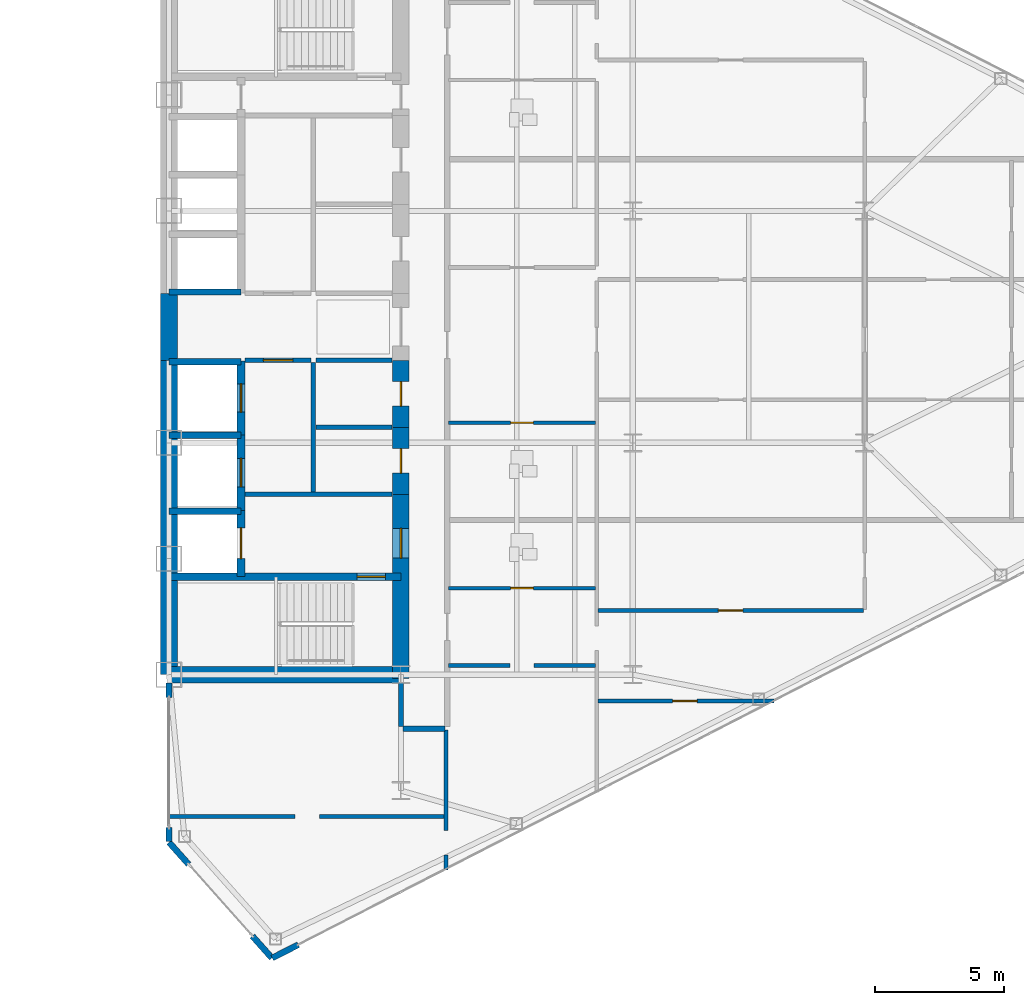
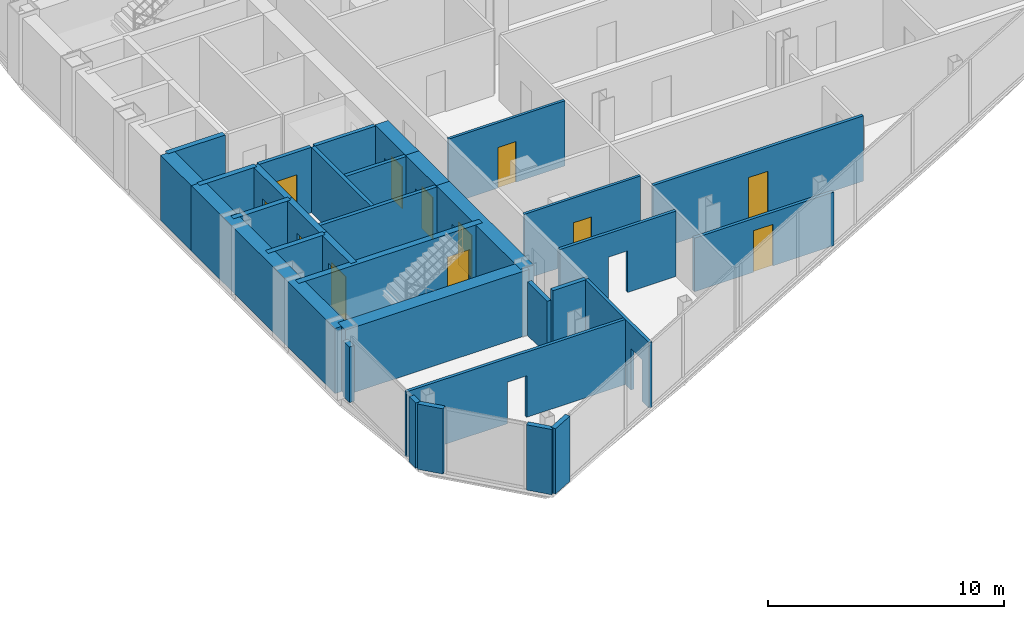
# One storey, part 19 of 24: 33 walls, 12 doors, 15 openings.
"""IFC4 building model written with IfcOpenShell, lengths in metres."""

from ifc_helpers import new_model, si_unit, direction, frame, frame_2d, origin, place, context, subcontext, project, spatial, rectangle, extrude, source, transform, mapped, material, layer, layer_set, type_object, type_shapes, element, fill, save


model = new_model("IFC4")

# Units and contexts
model_context = context("Model", 3, precision=1e-05, world=origin(), true_north=direction((0.0, 1.0)))
body_context = subcontext(model_context, "Body", "Model", "MODEL_VIEW")
ifc_project = project(units=[si_unit("LENGTHUNIT", "METRE"), si_unit("AREAUNIT", "SQUARE_METRE"), si_unit("VOLUMEUNIT", "CUBIC_METRE"), si_unit("PLANEANGLEUNIT", "RADIAN"), si_unit("MASSUNIT", "GRAM", prefix="KILO")], contexts=[model_context])

# Site, building, storey
site_placement = place(None, origin())
site = spatial("IfcSite", under=ifc_project, at=site_placement, CompositionType="ELEMENT")
building_placement = place(site_placement, origin())
building = spatial("IfcBuilding", under=site, at=building_placement, Name="Seokmaru Belvedere", CompositionType="ELEMENT")
storey_placement = place(building_placement, frame((0.0, 0.0, 114.0)))
storey = spatial("IfcBuildingStorey", under=building, at=storey_placement, Name="L30", CompositionType="ELEMENT", Elevation=114.0)

# Wall, opening
ifc_material_1 = material(Name="Fire-Rated Gypsum Shaftwall")
ifc_layer_1 = layer(ifc_material_1, 0.14990234375)
ifc_layer_set_1 = layer_set([ifc_layer_1], Name="Fire-Rated Gypsum Shaftwall")
wall_type_1 = type_object("IfcWallType", Name="Apartment Fire-Acoustic Room Partition 150", PredefinedType="PARTITIONING", material=ifc_layer_set_1)
wall_1_placement = place(storey_placement, frame((27.465087890625, -19.0, 0.0), z_axis=(0.0, 0.0, 1.0), x_axis=(1.0, 0.0, 0.0)))
wall_1 = element("IfcWall", 1, at=wall_1_placement, inside=storey, type_object=wall_type_1, Name="L30 Interior Partition 002", PredefinedType="PARTITIONING", context=body_context, shape_type="SweptSolid", body=[
    extrude(rectangle(XDim=10.73486328125, YDim=0.14990234375, at=frame_2d((5.367431640625, 0.0))), origin(), (0.0, 0.0, 1.0), 3.3798828125),
])
opening_1_placement = place(wall_1_placement, frame((4.93505859375, 0.0, 0.0)))
element("IfcOpeningElement", 2, at=opening_1_placement, cuts=wall_1, Name="L30 Cased Opening 043", PredefinedType="OPENING", context=body_context, shape_type="SweptSolid", body=[
    extrude(rectangle(XDim=0.949951171875, YDim=2.14990234375, at=frame_2d((0.47509765625, 1.074951171875))), frame((0.0, 0.0849609375, 0.0), z_axis=(0.0, -1.0, 0.0), x_axis=(1.0, 0.0, 0.0)), (0.0, 0.0, 1.0), 0.169921875),
])

# Wall, opening, door
wall_2_placement = place(storey_placement, frame((44.14990234375, -14.52001953125, 0.0), z_axis=(0.0, 0.0, 1.0), x_axis=(1.0, 0.0, 0.0)))
wall_2 = element("IfcWall", 3, at=wall_2_placement, inside=storey, type_object=wall_type_1, Name="L30 Interior Partition 006", PredefinedType="PARTITIONING", context=body_context, shape_type="SweptSolid", body=[
    extrude(rectangle(XDim=6.828125, YDim=0.14990234375, at=frame_2d((3.4140625, 0.0))), origin(), (0.0, 0.0, 1.0), 2.780029296875),
])
opening_2_placement = place(wall_2_placement, frame((2.896240234375, 0.0, 0.0)))
opening_2 = element("IfcOpeningElement", 4, at=opening_2_placement, cuts=wall_2, Name="Opening D05", PredefinedType="OPENING", context=body_context, shape_type="SweptSolid", body=[
    extrude(rectangle(XDim=0.949951171875, YDim=2.14990234375, at=frame_2d((0.47509765625, 1.074951171875))), frame((0.0, 0.0849609375, 0.0), z_axis=(0.0, -1.0, 0.0), x_axis=(1.0, 0.0, 0.0)), (0.0, 0.0, 1.0), 0.169921875),
])
ifc_material_2 = material(Name="Engineered White Oak Timber", Category="wood")
door_type_1 = type_object("IfcDoorType", Name="Apartment Interior Fire-Rated Oak Door 950x2150", OperationType="NOTDEFINED", PredefinedType="DOOR", material=ifc_material_2)
shared_shape_1 = source(origin(), body_context, "Body", "SweptSolid", [
    extrude(rectangle(XDim=0.949951171875, YDim=2.14990234375, at=frame_2d((0.47509765625, 1.074951171875))), frame((0.0, 0.02490234375, 0.0), z_axis=(0.0, -1.0, 0.0), x_axis=(1.0, 0.0, 0.0)), (0.0, 0.0, 1.0), 0.050048828125),
])
type_shapes(door_type_1, [shared_shape_1])
door_1_placement = place(opening_2_placement, origin())
door_1 = element("IfcDoor", 5, at=door_1_placement, inside=storey, type_object=door_type_1, Name="L30 Interior Door 040", OperationType="SINGLE_SWING_RIGHT", OverallHeight=2.14990234375, OverallWidth=0.949951171875, PredefinedType="DOOR", context=body_context, shape_type="MappedRepresentation", body=[
    mapped(shared_shape_1, transform((0.0, 0.0, 0.0), scale=1.0)),
])
fill(opening_2, door_1)

# Wall, opening
wall_3_placement = place(storey_placement, frame((38.35009765625, -13.139892578125, 0.0), z_axis=(0.0, 0.0, 1.0), x_axis=(1.0, 0.0, 0.0)))
wall_3 = element("IfcWall", 6, at=wall_3_placement, inside=storey, type_object=wall_type_1, Name="L30 Interior Partition 008", PredefinedType="PARTITIONING", context=body_context, shape_type="SweptSolid", body=[
    extrude(rectangle(XDim=5.699951171875, YDim=0.14990234375, at=frame_2d((2.85009765625, 0.0))), origin(), (0.0, 0.0, 1.0), 3.3798828125),
])
opening_3_placement = place(wall_3_placement, frame((2.375, 0.0, 0.0)))
element("IfcOpeningElement", 7, at=opening_3_placement, cuts=wall_3, Name="L30 Cased Opening 038", PredefinedType="OPENING", context=body_context, shape_type="SweptSolid", body=[
    extrude(rectangle(XDim=0.949951171875, YDim=2.14990234375, at=frame_2d((0.47509765625, 1.074951171875))), frame((0.0, 0.0849609375, 0.0), z_axis=(0.0, -1.0, 0.0), x_axis=(1.0, 0.0, 0.0)), (0.0, 0.0, 1.0), 0.169921875),
])

# Wall, opening, door
wall_4_placement = place(storey_placement, frame((44.14990234375, -11.010009765625, 0.0), z_axis=(0.0, 0.0, 1.0), x_axis=(1.0, 0.0, 0.0)))
wall_4 = element("IfcWall", 8, at=wall_4_placement, inside=storey, type_object=wall_type_1, Name="L30 Interior Partition 011", PredefinedType="PARTITIONING", context=body_context, shape_type="SweptSolid", body=[
    extrude(rectangle(XDim=10.300048828125, YDim=0.14990234375, at=frame_2d((5.14990234375, 0.0))), origin(), (0.0, 0.0, 1.0), 3.3798828125),
])
opening_4_placement = place(wall_4_placement, frame((4.675048828125, 0.0, 0.0)))
opening_4 = element("IfcOpeningElement", 9, at=opening_4_placement, cuts=wall_4, Name="Opening D05", PredefinedType="OPENING", context=body_context, shape_type="SweptSolid", body=[
    extrude(rectangle(XDim=0.949951171875, YDim=2.14990234375, at=frame_2d((0.47509765625, 1.074951171875))), frame((0.0, 0.0849609375, 0.0), z_axis=(0.0, -1.0, 0.0), x_axis=(1.0, 0.0, 0.0)), (0.0, 0.0, 1.0), 0.169921875),
])
door_2_placement = place(opening_4_placement, origin())
door_2 = element("IfcDoor", 10, at=door_2_placement, inside=storey, type_object=door_type_1, Name="L30 Interior Door 041", OperationType="SINGLE_SWING_LEFT", OverallHeight=2.14990234375, OverallWidth=0.949951171875, PredefinedType="DOOR", context=body_context, shape_type="MappedRepresentation", body=[
    mapped(shared_shape_1, transform((0.0, 0.0, 0.0), scale=1.0)),
])
fill(opening_4, door_2)

# Wall, opening
wall_5_placement = place(storey_placement, frame((38.25, -21.071044921875, 0.0), z_axis=(0.0, 0.0, 1.0), x_axis=(0.0, 1.0, 0.0)))
wall_5 = element("IfcWall", 11, at=wall_5_placement, inside=storey, type_object=wall_type_1, Name="L30 Interior Partition 049", PredefinedType="PARTITIONING", context=body_context, shape_type="SweptSolid", body=[
    extrude(rectangle(XDim=5.421142578125, YDim=0.14990234375, at=frame_2d((2.71044921875, 0.0))), origin(), (0.0, 0.0, 1.0), 3.3798828125),
])
opening_5_placement = place(wall_5_placement, frame((0.577880859375, 0.0, 0.0)))
element("IfcOpeningElement", 12, at=opening_5_placement, cuts=wall_5, Name="L30 Cased Opening 042", PredefinedType="OPENING", context=body_context, shape_type="SweptSolid", body=[
    extrude(rectangle(XDim=0.949951171875, YDim=2.14990234375, at=frame_2d((0.47509765625, 1.074951171875))), frame((0.0, 0.0849609375, 0.0), z_axis=(0.0, -1.0, 0.0), x_axis=(1.0, 0.0, 0.0)), (0.0, 0.0, 1.0), 0.169921875),
])

# Walls
ifc_layer_2 = layer(ifc_material_1, 0.179931640625)
ifc_layer_set_2 = layer_set([ifc_layer_2], Name="Fire-Rated Gypsum Shaftwall")
wall_type_2 = type_object("IfcWallType", Name="Core Service Fire Partition 180", PredefinedType="PARTITIONING", material=ifc_layer_set_2)
wall_6_placement = place(storey_placement, frame((30.449951171875, -6.5, 0.0), z_axis=(0.0, 0.0, 1.0), x_axis=(1.0, 0.0, 0.0)))
element("IfcWall", 13, at=wall_6_placement, inside=storey, type_object=wall_type_2, Name="L30 East Firefighting Lobby Partition", PredefinedType="PARTITIONING", context=body_context, shape_type="SweptSolid", body=[
    extrude(rectangle(XDim=5.699951171875, YDim=0.179931640625, at=frame_2d((2.85009765625, 0.0))), origin(), (0.0, 0.0, 1.0), 3.3798828125),
])
wall_7_placement = place(storey_placement, frame((33.10009765625, -6.419921875, 0.0), z_axis=(0.0, 0.0, 1.0), x_axis=(0.0, 1.0, 0.0)))
element("IfcWall", 14, at=wall_7_placement, inside=storey, type_object=wall_type_2, Name="L30 East South Core Service Back Wall", PredefinedType="PARTITIONING", context=body_context, shape_type="SweptSolid", body=[
    extrude(rectangle(XDim=5.0400390625, YDim=0.179931640625, at=frame_2d((2.52001953125, 0.0))), origin(), (0.0, 0.0, 1.0), 3.3798828125),
])

# Wall, opening, door
wall_8_placement = place(storey_placement, frame((30.449951171875, -1.300048828125, 0.0), z_axis=(0.0, 0.0, 1.0), x_axis=(1.0, 0.0, 0.0)))
wall_8 = element("IfcWall", 15, at=wall_8_placement, inside=storey, type_object=wall_type_2, Name="L30 East South Lift Lobby Foyer Wall", PredefinedType="PARTITIONING", context=body_context, shape_type="SweptSolid", body=[
    extrude(rectangle(XDim=2.570068359375, YDim=0.179931640625, at=frame_2d((1.28515625, 0.0))), origin(), (0.0, 0.0, 1.0), 3.3798828125),
])
opening_6_placement = place(wall_8_placement, frame((0.7099609375, 0.0, 0.0)))
opening_6 = element("IfcOpeningElement", 16, at=opening_6_placement, cuts=wall_8, Name="Opening D02", PredefinedType="OPENING", context=body_context, shape_type="SweptSolid", body=[
    extrude(rectangle(XDim=1.14990234375, YDim=2.199951171875, at=frame_2d((0.574951171875, 1.10009765625))), frame((0.0, 0.10009765625, 0.0), z_axis=(0.0, -1.0, 0.0), x_axis=(1.0, 0.0, 0.0)), (0.0, 0.0, 1.0), 0.199951171875),
])
ifc_material_3 = material(Name="Fire-Rated Steel Leaf", Category="steel")
door_type_2 = type_object("IfcDoorType", Name="Lobby and Vestibule Fire Door 1150x2200", OperationType="NOTDEFINED", PredefinedType="DOOR", material=ifc_material_3)
shared_shape_2 = source(origin(), body_context, "Body", "SweptSolid", [
    extrude(rectangle(XDim=1.14990234375, YDim=2.199951171875, at=frame_2d((0.574951171875, 1.10009765625))), frame((0.0, 0.02490234375, 0.0), z_axis=(0.0, -1.0, 0.0), x_axis=(1.0, 0.0, 0.0)), (0.0, 0.0, 1.0), 0.050048828125),
])
type_shapes(door_type_2, [shared_shape_2])
door_3_placement = place(opening_6_placement, origin())
door_3 = element("IfcDoor", 17, at=door_3_placement, inside=storey, type_object=door_type_2, Name="L30 East South Core Foyer Door", OperationType="SINGLE_SWING_RIGHT", OverallHeight=2.199951171875, OverallWidth=1.14990234375, PredefinedType="DOOR", context=body_context, shape_type="MappedRepresentation", body=[
    mapped(shared_shape_2, transform((0.0, 0.0, 0.0), scale=1.0)),
])
fill(opening_6, door_3)

# Walls
for number, where, z_axis, x_axis, name in (
    (18, (33.199951171875, -1.300048828125, 0.0), (0.0, 0.0, 1.0), (1.0, 0.0, 0.0), "L30 East Foyer Side Wall S"),
    (19, (33.199951171875, -3.89990234375, 0.0), (0.0, 0.0, 1.0), (1.0, 0.0, 0.0), "L30 East Core Service Partition 1"),
):
    element("IfcWall", number, at=place(storey_placement, frame(where, z_axis=z_axis, x_axis=x_axis)), inside=storey, type_object=wall_type_2, Name=name, PredefinedType="PARTITIONING", context=body_context, shape_type="SweptSolid", body=[
        extrude(rectangle(XDim=2.949951171875, YDim=0.179931640625, at=frame_2d((1.47509765625, 0.0))), origin(), (0.0, 0.0, 1.0), 3.3798828125),
    ])
ifc_material_4 = material(Name="Concrete C50 (50 MPa)", Category="concrete")
ifc_layer_3 = layer(ifc_material_4, 0.25)
ifc_layer_set_3 = layer_set([ifc_layer_3], Name="Concrete C50 (50 MPa)")
wall_type_3 = type_object("IfcWallType", Name="Hoistway Transverse Concrete Divider Wall 250", PredefinedType="SHEAR", material=ifc_layer_set_3)
for number, where, z_axis, x_axis, name in (
    (20, (27.5, -7.14990234375, 0.0), (0.0, 0.0, 1.0), (1.0, 0.0, 0.0), "L30 East Hoistway Divider Core Wall 1"),
    (21, (27.5, -4.199951171875, 0.0), (0.0, 0.0, 1.0), (1.0, 0.0, 0.0), "L30 East Hoistway Divider Core Wall 2"),
    (22, (27.5, -1.35009765625, 0.0), (0.0, 0.0, 1.0), (1.0, 0.0, 0.0), "L30 East Hoistway Divider Core Wall 3"),
    (23, (27.5, 1.35009765625, 0.0), (0.0, 0.0, 1.0), (1.0, 0.0, 0.0), "L30 East Hoistway Divider Core Wall 4"),
):
    element("IfcWall", number, at=place(storey_placement, frame(where, z_axis=z_axis, x_axis=x_axis)), inside=storey, type_object=wall_type_3, Name=name, PredefinedType="SHEAR", context=body_context, shape_type="SweptSolid", body=[
        extrude(rectangle(XDim=2.800048828125, YDim=0.25, at=frame_2d((1.39990234375, 0.0))), origin(), (0.0, 0.0, 1.0), 3.3798828125),
    ])
ifc_layer_4 = layer(ifc_material_1, 0.199951171875)
ifc_layer_set_4 = layer_set([ifc_layer_4], Name="Fire-Rated Gypsum Shaftwall")
wall_type_4 = type_object("IfcWallType", Name="Inter-Tenancy Fire Compartment Partition 200", PredefinedType="PARTITIONING", material=ifc_layer_set_4)
wall_9_placement = place(storey_placement, frame((36.5849609375, -15.60009765625, 0.0), z_axis=(0.0, 0.0, 1.0), x_axis=(1.0, 0.0, 0.0)))
element("IfcWall", 24, at=wall_9_placement, inside=storey, type_object=wall_type_4, Name="L30 Interior Partition 005", PredefinedType="PARTITIONING", context=body_context, shape_type="SweptSolid", body=[
    extrude(rectangle(XDim=1.630126953125, YDim=0.199951171875, at=frame_2d((0.81494140625, 0.0))), origin(), (0.0, 0.0, 1.0), 3.3798828125),
])
wall_10_placement = place(storey_placement, frame((36.5, -15.514892578125, 0.0), z_axis=(0.0, 0.0, 1.0), x_axis=(0.0, 1.0, 0.0)))
element("IfcWall", 25, at=wall_10_placement, inside=storey, type_object=wall_type_4, Name="L30 Interior Partition 047", PredefinedType="PARTITIONING", context=body_context, shape_type="SweptSolid", body=[
    extrude(rectangle(XDim=1.684814453125, YDim=0.199951171875, at=frame_2d((0.84228515625, 0.0))), origin(), (0.0, 0.0, 1.0), 2.780029296875),
])

# Wall, opening, door
ifc_layer_5 = layer(ifc_material_4, 0.300048828125)
ifc_layer_set_5 = layer_set([ifc_layer_5], Name="Concrete C50 (50 MPa)")
wall_type_5 = type_object("IfcWallType", Name="Internal Core Stair and Hoistway Wall 300", PredefinedType="SHEAR", material=ifc_layer_set_5)
wall_11_placement = place(storey_placement, frame((27.5, -9.699951171875, 0.0), z_axis=(0.0, 0.0, 1.0), x_axis=(1.0, 0.0, 0.0)))
wall_11 = element("IfcWall", 26, at=wall_11_placement, inside=storey, type_object=wall_type_5, Name="L30 East Stair ST-1 Enclosure Wall", PredefinedType="SHEAR", context=body_context, shape_type="SweptSolid", body=[
    extrude(rectangle(XDim=9.0, YDim=0.300048828125, at=frame_2d((4.5, 0.0))), origin(), (0.0, 0.0, 1.0), 3.3798828125),
])
opening_7_placement = place(wall_11_placement, frame((7.300048828125, 0.0, 0.0)))
opening_7 = element("IfcOpeningElement", 27, at=opening_7_placement, cuts=wall_11, Name="Opening D01", PredefinedType="OPENING", context=body_context, shape_type="SweptSolid", body=[
    extrude(rectangle(XDim=1.10009765625, YDim=2.199951171875, at=frame_2d((0.550048828125, 1.10009765625))), frame((0.0, 0.16015625, 0.0), z_axis=(0.0, -1.0, 0.0), x_axis=(1.0, 0.0, 0.0)), (0.0, 0.0, 1.0), 0.320068359375),
])
door_type_3 = type_object("IfcDoorType", Name="Special Escape Stair Smokeproof Fire Door 1100x2200", OperationType="NOTDEFINED", PredefinedType="DOOR", material=ifc_material_3)
shared_shape_3 = source(origin(), body_context, "Body", "SweptSolid", [
    extrude(rectangle(XDim=1.10009765625, YDim=2.199951171875, at=frame_2d((0.550048828125, 1.10009765625))), frame((0.0, 0.02490234375, 0.0), z_axis=(0.0, -1.0, 0.0), x_axis=(1.0, 0.0, 0.0)), (0.0, 0.0, 1.0), 0.050048828125),
])
type_shapes(door_type_3, [shared_shape_3])
door_4_placement = place(opening_7_placement, frame((1.10009765625, 0.0, 0.0), z_axis=(0.0, 0.0, 1.0), x_axis=(-1.0, 0.0, 0.0)))
door_4 = element("IfcDoor", 28, at=door_4_placement, inside=storey, type_object=door_type_3, Name="L30 East Special Escape Stair ST-1 Door", OperationType="SINGLE_SWING_RIGHT", OverallHeight=2.199951171875, OverallWidth=1.10009765625, PredefinedType="DOOR", context=body_context, shape_type="MappedRepresentation", body=[
    mapped(shared_shape_3, transform((0.0, 0.0, 0.0), scale=1.0)),
])
fill(opening_7, door_4)

wall_12_placement = place(storey_placement, frame((30.300048828125, -9.679931640625, 0.0), z_axis=(0.0, 0.0, 1.0), x_axis=(0.0, 1.0, 0.0)))
wall_12 = element("IfcWall", 29, at=wall_12_placement, inside=storey, type_object=wall_type_5, Name="L30 East Firefighting Lift Shaft Front Wall", PredefinedType="SHEAR", context=body_context, shape_type="SweptSolid", body=[
    extrude(rectangle(XDim=2.559814453125, YDim=0.300048828125, at=frame_2d((1.27978515625, 0.0))), origin(), (0.0, 0.0, 1.0), 3.3798828125),
])
opening_8_placement = place(wall_12_placement, frame((0.679931640625, 0.0, 0.0)))
opening_8 = element("IfcOpeningElement", 30, at=opening_8_placement, cuts=wall_12, Name="Opening LD2", PredefinedType="OPENING", context=body_context, shape_type="SweptSolid", body=[
    extrude(rectangle(XDim=1.199951171875, YDim=2.25, at=frame_2d((0.60009765625, 1.125))), frame((0.0, 0.16015625, 0.0), z_axis=(0.0, -1.0, 0.0), x_axis=(1.0, 0.0, 0.0)), (0.0, 0.0, 1.0), 0.320068359375),
])
ifc_material_5 = material(Name="Stainless Steel 316", Category="steel")
door_type_4 = type_object("IfcDoorType", Name="Firefighting Lift Sliding Landing Door 1200x2250", OperationType="DOUBLE_DOOR_SLIDING", PredefinedType="DOOR", material=ifc_material_5)
shared_shape_4 = source(origin(), body_context, "Body", "SweptSolid", [
    extrude(rectangle(XDim=1.199951171875, YDim=2.25, at=frame_2d((0.60009765625, 1.125))), frame((0.0, 0.02490234375, 0.0), z_axis=(0.0, -1.0, 0.0), x_axis=(1.0, 0.0, 0.0)), (0.0, 0.0, 1.0), 0.050048828125),
])
type_shapes(door_type_4, [shared_shape_4])
door_5_placement = place(opening_8_placement, origin())
door_5 = element("IfcDoor", 31, at=door_5_placement, inside=storey, type_object=door_type_4, Name="L30 East Firefighting Lift Landing Door", OperationType="DOUBLE_DOOR_SLIDING", OverallHeight=2.25, OverallWidth=1.199951171875, PredefinedType="DOOR", context=body_context, shape_type="MappedRepresentation", body=[
    mapped(shared_shape_4, transform((0.0, 0.0, 0.0), scale=1.0)),
])
fill(opening_8, door_5)

wall_13_placement = place(storey_placement, frame((30.300048828125, -7.1201171875, 0.0), z_axis=(0.0, 0.0, 1.0), x_axis=(0.0, 1.0, 0.0)))
wall_13 = element("IfcWall", 32, at=wall_13_placement, inside=storey, type_object=wall_type_5, Name="L30 East Low-Rise Lift PL-1 Front Wall", PredefinedType="SHEAR", context=body_context, shape_type="SweptSolid", body=[
    extrude(rectangle(XDim=2.920166015625, YDim=0.300048828125, at=frame_2d((1.4599609375, 0.0))), origin(), (0.0, 0.0, 1.0), 3.3798828125),
])
opening_9_placement = place(wall_13_placement, frame((0.909912109375, 0.0, 0.0)))
opening_9 = element("IfcOpeningElement", 33, at=opening_9_placement, cuts=wall_13, Name="Opening LD1", PredefinedType="OPENING", context=body_context, shape_type="SweptSolid", body=[
    extrude(rectangle(XDim=1.10009765625, YDim=2.199951171875, at=frame_2d((0.550048828125, 1.10009765625))), frame((0.0, 0.16015625, 0.0), z_axis=(0.0, -1.0, 0.0), x_axis=(1.0, 0.0, 0.0)), (0.0, 0.0, 1.0), 0.320068359375),
])
door_type_5 = type_object("IfcDoorType", Name="Passenger Lift Sliding Landing Door 1100x2200", OperationType="DOUBLE_DOOR_SLIDING", PredefinedType="DOOR", material=ifc_material_5)
shared_shape_5 = source(origin(), body_context, "Body", "SweptSolid", [
    extrude(rectangle(XDim=1.10009765625, YDim=2.199951171875, at=frame_2d((0.550048828125, 1.10009765625))), frame((0.0, 0.02490234375, 0.0), z_axis=(0.0, -1.0, 0.0), x_axis=(1.0, 0.0, 0.0)), (0.0, 0.0, 1.0), 0.050048828125),
])
type_shapes(door_type_5, [shared_shape_5])
door_6_placement = place(opening_9_placement, origin())
door_6 = element("IfcDoor", 34, at=door_6_placement, inside=storey, type_object=door_type_5, Name="L30 East Low-Rise Lift PL-1 Landing Door", OperationType="DOUBLE_DOOR_SLIDING", OverallHeight=2.199951171875, OverallWidth=1.10009765625, PredefinedType="DOOR", context=body_context, shape_type="MappedRepresentation", body=[
    mapped(shared_shape_5, transform((0.0, 0.0, 0.0), scale=1.0)),
])
fill(opening_9, door_6)

wall_14_placement = place(storey_placement, frame((30.300048828125, -4.199951171875, 0.0), z_axis=(0.0, 0.0, 1.0), x_axis=(0.0, 1.0, 0.0)))
wall_14 = element("IfcWall", 35, at=wall_14_placement, inside=storey, type_object=wall_type_5, Name="L30 East Low-Rise Lift PL-2 Front Wall", PredefinedType="SHEAR", context=body_context, shape_type="SweptSolid", body=[
    extrude(rectangle(XDim=2.8798828125, YDim=0.300048828125, at=frame_2d((1.43994140625, 0.0))), origin(), (0.0, 0.0, 1.0), 3.3798828125),
])
opening_10_placement = place(wall_14_placement, frame((0.889892578125, 0.0, 0.0)))
opening_10 = element("IfcOpeningElement", 36, at=opening_10_placement, cuts=wall_14, Name="Opening LD1", PredefinedType="OPENING", context=body_context, shape_type="SweptSolid", body=[
    extrude(rectangle(XDim=1.10009765625, YDim=2.199951171875, at=frame_2d((0.550048828125, 1.10009765625))), frame((0.0, 0.16015625, 0.0), z_axis=(0.0, -1.0, 0.0), x_axis=(1.0, 0.0, 0.0)), (0.0, 0.0, 1.0), 0.320068359375),
])
door_7_placement = place(opening_10_placement, origin())
door_7 = element("IfcDoor", 37, at=door_7_placement, inside=storey, type_object=door_type_5, Name="L30 East Low-Rise Lift PL-2 Landing Door", OperationType="DOUBLE_DOOR_SLIDING", OverallHeight=2.199951171875, OverallWidth=1.10009765625, PredefinedType="DOOR", context=body_context, shape_type="MappedRepresentation", body=[
    mapped(shared_shape_5, transform((0.0, 0.0, 0.0), scale=1.0)),
])
fill(opening_10, door_7)

# Walls
ifc_material_6 = material(Name="Concrete C60 (60 MPa)", Category="concrete")
ifc_layer_6 = layer(ifc_material_6, 0.64990234375)
ifc_layer_set_6 = layer_set([ifc_layer_6], Name="Concrete C60 (60 MPa)")
wall_type_6 = type_object("IfcWallType", Name="Mid-Low Reinforced Concrete Core Wall 650", PredefinedType="SHEAR", material=ifc_layer_set_6)
wall_15_placement = place(storey_placement, frame((27.5, -13.5, 0.0), z_axis=(0.0, 0.0, 1.0), x_axis=(0.0, 1.0, 0.0)))
element("IfcWall", 38, at=wall_15_placement, inside=storey, type_object=wall_type_6, Name="L30 East Portal Spine Core Wall South", PredefinedType="SHEAR", context=body_context, shape_type="SweptSolid", body=[
    extrude(rectangle(XDim=12.199951171875, YDim=0.64990234375, at=frame_2d((6.10009765625, 0.0))), origin(), (0.0, 0.0, 1.0), 3.3798828125),
])
wall_16_placement = place(storey_placement, frame((27.5, -1.300048828125, 0.0), z_axis=(0.0, 0.0, 1.0), x_axis=(0.0, 1.0, 0.0)))
element("IfcWall", 39, at=wall_16_placement, inside=storey, type_object=wall_type_6, Name="L30 East Portal Spine Core Wall Center", PredefinedType="SHEAR", context=body_context, shape_type="SweptSolid", body=[
    extrude(rectangle(XDim=2.60009765625, YDim=0.64990234375, at=frame_2d((1.300048828125, 0.0))), origin(), (0.0, 0.0, 1.0), 3.3798828125),
])
wall_17_placement = place(storey_placement, frame((27.5, -13.5, 0.0), z_axis=(0.0, 0.0, 1.0), x_axis=(1.0, 0.0, 0.0)))
element("IfcWall", 40, at=wall_17_placement, inside=storey, type_object=wall_type_6, Name="L30 East South Core Wall", PredefinedType="SHEAR", context=body_context, shape_type="SweptSolid", body=[
    extrude(rectangle(XDim=9.0, YDim=0.64990234375, at=frame_2d((4.5, 0.0))), origin(), (0.0, 0.0, 1.0), 3.3798828125),
])

# Wall, opening, door
wall_18_placement = place(storey_placement, frame((36.5, -13.64990234375, 0.0), z_axis=(0.0, 0.0, 1.0), x_axis=(0.0, 1.0, 0.0)))
wall_18 = element("IfcWall", 41, at=wall_18_placement, inside=storey, type_object=wall_type_6, Name="L30 East West Core Wall FF", PredefinedType="SHEAR", context=body_context, shape_type="SweptSolid", body=[
    extrude(rectangle(XDim=7.14990234375, YDim=0.64990234375, at=frame_2d((3.574951171875, 0.0))), origin(), (0.0, 0.0, 1.0), 3.3798828125),
])
opening_11_placement = place(wall_18_placement, frame((4.675048828125, 0.0, 0.0)))
opening_11 = element("IfcOpeningElement", 42, at=opening_11_placement, cuts=wall_18, Name="Opening D02", PredefinedType="OPENING", context=body_context, shape_type="SweptSolid", body=[
    extrude(rectangle(XDim=1.14990234375, YDim=2.199951171875, at=frame_2d((0.574951171875, 1.10009765625))), frame((0.0, 0.3349609375, 0.0), z_axis=(0.0, -1.0, 0.0), x_axis=(1.0, 0.0, 0.0)), (0.0, 0.0, 1.0), 0.669921875),
])
door_8_placement = place(opening_11_placement, origin())
door_8 = element("IfcDoor", 43, at=door_8_placement, inside=storey, type_object=door_type_2, Name="L30 East Firefighting Lobby Door", OperationType="SINGLE_SWING_RIGHT", OverallHeight=2.199951171875, OverallWidth=1.14990234375, PredefinedType="DOOR", context=body_context, shape_type="MappedRepresentation", body=[
    mapped(shared_shape_2, transform((0.0, 0.0, 0.0), scale=1.0)),
])
fill(opening_11, door_8)

wall_19_placement = place(storey_placement, frame((36.5, -6.5, 0.0), z_axis=(0.0, 0.0, 1.0), x_axis=(0.0, 1.0, 0.0)))
wall_19 = element("IfcWall", 44, at=wall_19_placement, inside=storey, type_object=wall_type_6, Name="L30 East West Core Wall CS1", PredefinedType="SHEAR", context=body_context, shape_type="SweptSolid", body=[
    extrude(rectangle(XDim=2.60009765625, YDim=0.64990234375, at=frame_2d((1.300048828125, 0.0))), origin(), (0.0, 0.0, 1.0), 3.3798828125),
])
opening_12_placement = place(wall_19_placement, frame((0.824951171875, 0.0, 0.0)))
opening_12 = element("IfcOpeningElement", 45, at=opening_12_placement, cuts=wall_19, Name="Opening D04", PredefinedType="OPENING", context=body_context, shape_type="SweptSolid", body=[
    extrude(rectangle(XDim=0.949951171875, YDim=2.14990234375, at=frame_2d((0.47509765625, 1.074951171875))), frame((0.0, 0.3349609375, 0.0), z_axis=(0.0, -1.0, 0.0), x_axis=(1.0, 0.0, 0.0)), (0.0, 0.0, 1.0), 0.669921875),
])
door_type_6 = type_object("IfcDoorType", Name="Core Service Room Fire Door 950x2150", OperationType="NOTDEFINED", PredefinedType="DOOR", material=ifc_material_3)
shared_shape_6 = source(origin(), body_context, "Body", "SweptSolid", [
    extrude(rectangle(XDim=0.949951171875, YDim=2.14990234375, at=frame_2d((0.47509765625, 1.074951171875))), frame((0.0, 0.02490234375, 0.0), z_axis=(0.0, -1.0, 0.0), x_axis=(1.0, 0.0, 0.0)), (0.0, 0.0, 1.0), 0.050048828125),
])
type_shapes(door_type_6, [shared_shape_6])
door_9_placement = place(opening_12_placement, origin())
door_9 = element("IfcDoor", 46, at=door_9_placement, inside=storey, type_object=door_type_6, Name="L30 East Core Service Room Door 1", OperationType="SINGLE_SWING_RIGHT", OverallHeight=2.14990234375, OverallWidth=0.949951171875, PredefinedType="DOOR", context=body_context, shape_type="MappedRepresentation", body=[
    mapped(shared_shape_6, transform((0.0, 0.0, 0.0), scale=1.0)),
])
fill(opening_12, door_9)

wall_20_placement = place(storey_placement, frame((36.5, -3.89990234375, 0.0), z_axis=(0.0, 0.0, 1.0), x_axis=(0.0, 1.0, 0.0)))
wall_20 = element("IfcWall", 47, at=wall_20_placement, inside=storey, type_object=wall_type_6, Name="L30 East West Core Wall CS2", PredefinedType="SHEAR", context=body_context, shape_type="SweptSolid", body=[
    extrude(rectangle(XDim=2.599853515625, YDim=0.64990234375, at=frame_2d((1.2998046875, 0.0))), origin(), (0.0, 0.0, 1.0), 3.3798828125),
])
opening_13_placement = place(wall_20_placement, frame((0.824951171875, 0.0, 0.0)))
opening_13 = element("IfcOpeningElement", 48, at=opening_13_placement, cuts=wall_20, Name="Opening D04", PredefinedType="OPENING", context=body_context, shape_type="SweptSolid", body=[
    extrude(rectangle(XDim=0.949951171875, YDim=2.14990234375, at=frame_2d((0.47509765625, 1.074951171875))), frame((0.0, 0.3349609375, 0.0), z_axis=(0.0, -1.0, 0.0), x_axis=(1.0, 0.0, 0.0)), (0.0, 0.0, 1.0), 0.669921875),
])
door_10_placement = place(opening_13_placement, origin())
door_10 = element("IfcDoor", 49, at=door_10_placement, inside=storey, type_object=door_type_6, Name="L30 East Core Service Room Door 2", OperationType="SINGLE_SWING_LEFT", OverallHeight=2.14990234375, OverallWidth=0.949951171875, PredefinedType="DOOR", context=body_context, shape_type="MappedRepresentation", body=[
    mapped(shared_shape_6, transform((0.0, 0.0, 0.0), scale=1.0)),
])
fill(opening_13, door_10)

ifc_layer_7 = layer(ifc_material_1, 0.1298828125)
ifc_layer_set_7 = layer_set([ifc_layer_7], Name="Fire-Rated Gypsum Shaftwall")
wall_type_7 = type_object("IfcWallType", Name="Moisture-Resistant Fire-Rated Bathroom Partition 130", PredefinedType="PARTITIONING", material=ifc_layer_set_7)
wall_21_placement = place(storey_placement, frame((38.35009765625, -10.139892578125, 0.0), z_axis=(0.0, 0.0, 1.0), x_axis=(1.0, 0.0, 0.0)))
wall_21 = element("IfcWall", 50, at=wall_21_placement, inside=storey, type_object=wall_type_7, Name="L30 Interior Partition 012", PredefinedType="PARTITIONING", context=body_context, shape_type="SweptSolid", body=[
    extrude(rectangle(XDim=5.699951171875, YDim=0.1298828125, at=frame_2d((2.85009765625, 0.0))), origin(), (0.0, 0.0, 1.0), 3.3798828125),
])
opening_14_placement = place(wall_21_placement, frame((2.409912109375, 0.0, 0.0)))
opening_14 = element("IfcOpeningElement", 51, at=opening_14_placement, cuts=wall_21, Name="Opening D06", PredefinedType="OPENING", context=body_context, shape_type="SweptSolid", body=[
    extrude(rectangle(XDim=0.8798828125, YDim=2.10009765625, at=frame_2d((0.43994140625, 1.050048828125))), frame((0.0, 0.074951171875, 0.0), z_axis=(0.0, -1.0, 0.0), x_axis=(1.0, 0.0, 0.0)), (0.0, 0.0, 1.0), 0.14990234375),
])
door_type_7 = type_object("IfcDoorType", Name="Bathroom and Restroom Fire-Rated Door 880x2100", OperationType="NOTDEFINED", PredefinedType="DOOR", material=ifc_material_2)
shared_shape_7 = source(origin(), body_context, "Body", "SweptSolid", [
    extrude(rectangle(XDim=0.8798828125, YDim=2.10009765625, at=frame_2d((0.43994140625, 1.050048828125))), frame((0.0, 0.02490234375, 0.0), z_axis=(0.0, -1.0, 0.0), x_axis=(1.0, 0.0, 0.0)), (0.0, 0.0, 1.0), 0.050048828125),
])
type_shapes(door_type_7, [shared_shape_7])
door_11_placement = place(opening_14_placement, origin())
door_11 = element("IfcDoor", 52, at=door_11_placement, inside=storey, type_object=door_type_7, Name="L30 Interior Door 037", OperationType="SINGLE_SWING_RIGHT", OverallHeight=2.10009765625, OverallWidth=0.8798828125, PredefinedType="DOOR", context=body_context, shape_type="MappedRepresentation", body=[
    mapped(shared_shape_7, transform((0.0, 0.0, 0.0), scale=1.0)),
])
fill(opening_14, door_11)

wall_22_placement = place(storey_placement, frame((38.35009765625, -3.719970703125, 0.0), z_axis=(0.0, 0.0, 1.0), x_axis=(1.0, 0.0, 0.0)))
wall_22 = element("IfcWall", 53, at=wall_22_placement, inside=storey, type_object=wall_type_7, Name="L30 Interior Partition 017", PredefinedType="PARTITIONING", context=body_context, shape_type="SweptSolid", body=[
    extrude(rectangle(XDim=5.699951171875, YDim=0.1298828125, at=frame_2d((2.85009765625, 0.0))), origin(), (0.0, 0.0, 1.0), 3.3798828125),
])
opening_15_placement = place(wall_22_placement, frame((2.409912109375, 0.0, 0.0)))
opening_15 = element("IfcOpeningElement", 54, at=opening_15_placement, cuts=wall_22, Name="Opening D06", PredefinedType="OPENING", context=body_context, shape_type="SweptSolid", body=[
    extrude(rectangle(XDim=0.8798828125, YDim=2.10009765625, at=frame_2d((0.43994140625, 1.050048828125))), frame((0.0, 0.074951171875, 0.0), z_axis=(0.0, -1.0, 0.0), x_axis=(1.0, 0.0, 0.0)), (0.0, 0.0, 1.0), 0.14990234375),
])
door_12_placement = place(opening_15_placement, origin())
door_12 = element("IfcDoor", 55, at=door_12_placement, inside=storey, type_object=door_type_7, Name="L30 Interior Door 046", OperationType="SINGLE_SWING_RIGHT", OverallHeight=2.10009765625, OverallWidth=0.8798828125, PredefinedType="DOOR", context=body_context, shape_type="MappedRepresentation", body=[
    mapped(shared_shape_7, transform((0.0, 0.0, 0.0), scale=1.0)),
])
fill(opening_15, door_12)

# Walls
ifc_material_7 = material(Name="Anodised Bronze Aluminium", Category="aluminium")
ifc_layer_8 = layer(ifc_material_7, 0.239990234375)
ifc_layer_set_8 = layer_set([ifc_layer_8], Name="Anodised Bronze Aluminium")
wall_type_8 = type_object("IfcWallType", Name="Tower Corner Spandrel Closure Wall 240", PredefinedType="SOLIDWALL", material=ifc_layer_set_8)
wall_23_placement = place(storey_placement, frame((31.5087890625, -24.495361328125, 0.0), z_axis=(0.0, 0.0, 1.0), x_axis=(0.889797395748, 0.456355776255, 0.0)))
element("IfcWall", 56, at=wall_23_placement, inside=storey, type_object=wall_type_8, Name="L30 E Corner Closure Pier 1A", PredefinedType="SOLIDWALL", context=body_context, shape_type="SweptSolid", body=[
    extrude(rectangle(XDim=1.14013671875, YDim=0.239990234375, at=frame_2d((0.570068359375, 0.0))), origin(), (0.0, 0.0, 1.0), 3.3798828125),
])
wall_24_placement = place(storey_placement, frame((27.5, -19.97998046875, 0.0), z_axis=(0.0, 0.0, 1.0), x_axis=(0.0, 1.0, 0.0)))
element("IfcWall", 57, at=wall_24_placement, inside=storey, type_object=wall_type_8, Name="L30 E Spine Closure Pier 1A", PredefinedType="SOLIDWALL", context=body_context, shape_type="SweptSolid", body=[
    extrude(rectangle(XDim=0.550048828125, YDim=0.239990234375, at=frame_2d((0.27490234375, 0.0))), origin(), (0.0, 0.0, 1.0), 3.3798828125),
])
wall_25_placement = place(storey_placement, frame((27.5, -14.3798828125, 0.0), z_axis=(0.0, 0.0, 1.0), x_axis=(0.0, 1.0, 0.0)))
element("IfcWall", 58, at=wall_25_placement, inside=storey, type_object=wall_type_8, Name="L30 E Spine Closure Pier 1B", PredefinedType="SOLIDWALL", context=body_context, shape_type="SweptSolid", body=[
    extrude(rectangle(XDim=0.5498046875, YDim=0.239990234375, at=frame_2d((0.27490234375, 0.0))), origin(), (0.0, 0.0, 1.0), 2.8798828125),
])
for number, where, z_axis, x_axis, name in (
    (59, (27.506591796875, -20.007568359375, 0.0), (0.0, 0.0, 1.0), (0.664337252513, -0.747432950119, 0.0), "L30 E Corner Closure Pier 6A"),
    (60, (30.736083984375, -23.640380859375, 0.0), (0.0, 0.0, 1.0), (0.664337252513, -0.747432950119, 0.0), "L30 E Corner Closure Pier 6B"),
):
    element("IfcWall", number, at=place(storey_placement, frame(where, z_axis=z_axis, x_axis=x_axis)), inside=storey, type_object=wall_type_8, Name=name, PredefinedType="SOLIDWALL", context=body_context, shape_type="SweptSolid", body=[
        extrude(rectangle(XDim=1.139892578125, YDim=0.239990234375, at=frame_2d((0.56982421875, 0.0))), origin(), (0.0, 0.0, 1.0), 3.3798828125),
    ])

save(model, "model.ifc")
